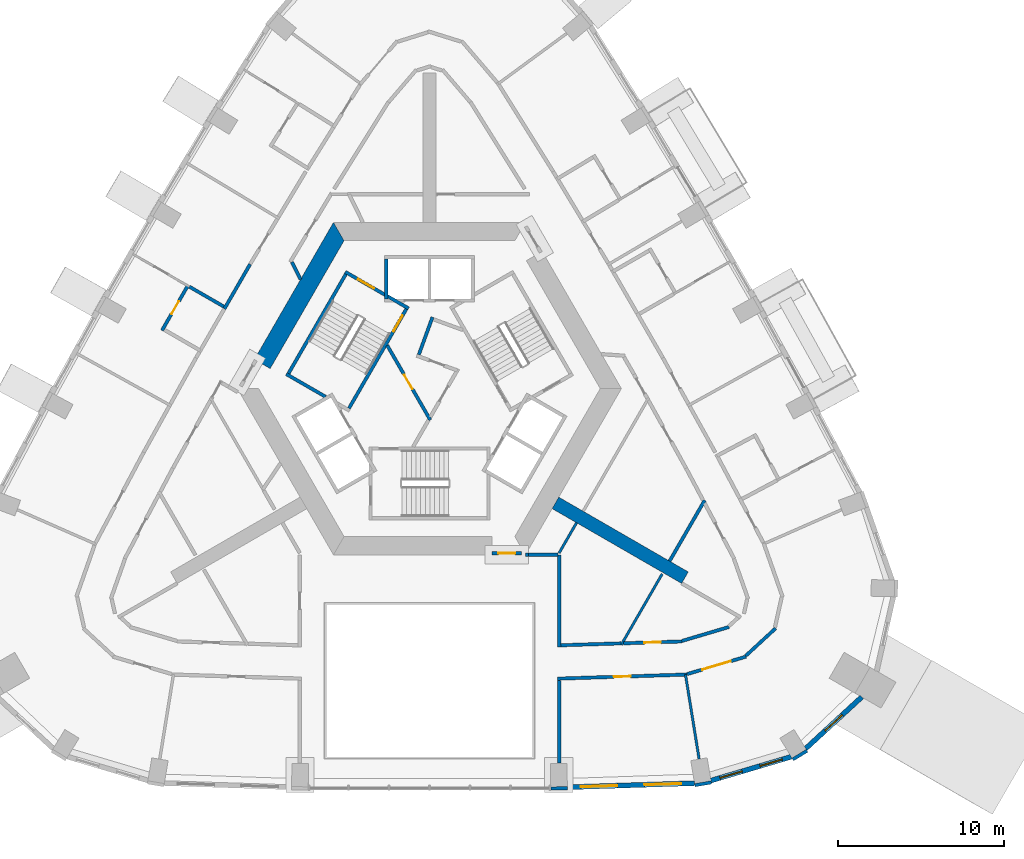
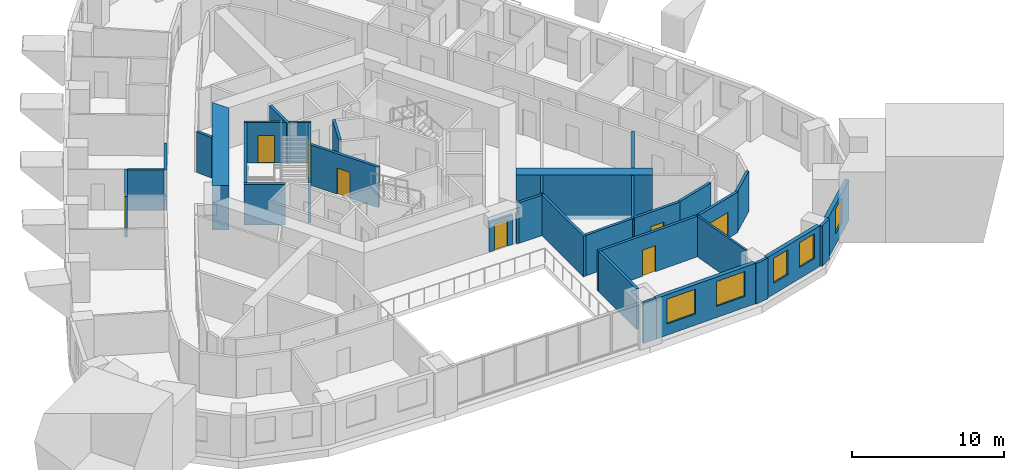
# One storey, part 5 of 12: 34 walls, 8 doors, 5 windows, 13 openings.
"""IFC4 building model written with IfcOpenShell, lengths in metres."""

import ifcopenshell
import ifcopenshell.guid

model = None  # the IFC model being written
_history = None  # IfcOwnerHistory: only IFC2X3 demands one
_inside = {}  # id of a spatial element -> (the spatial element, [elements in it])
_under = {}  # id of a project, library or spatial element -> (it, [spatial elements below it])
_declared = {}  # id of a project -> (the project, [libraries it declares])
_typed = {}  # id of a type object -> (the type object, [elements of that type])
_made_of = {}  # id of a material, layer set ... -> (it, [elements and type objects made of it])


def new_model(schema):
    """Start an empty IFC model of exactly this schema.

    Asked for "IFC4X3", IfcOpenShell would pick the latest addendum, in which some entities
    have other attributes; the version numbers below select the first issue.
    IFC2X3 requires an IfcOwnerHistory on every rooted entity: one is made here for all.
    """
    global model, _history
    if schema == "IFC4X3":
        model = ifcopenshell.file(schema_version=(4, 3, 0, 0))
    else:
        model = ifcopenshell.file(schema=schema)
    _inside.clear()
    _under.clear()
    _declared.clear()
    _typed.clear()
    _made_of.clear()
    _history = None
    if model.schema == "IFC2X3":
        org = make("IfcOrganization", Name="unknown")
        user = make(
            "IfcPersonAndOrganization",
            ThePerson=make("IfcPerson", FamilyName="unknown"),
            TheOrganization=org,
        )
        app = make(
            "IfcApplication",
            ApplicationDeveloper=org,
            Version="unknown",
            ApplicationFullName="unknown",
            ApplicationIdentifier="unknown",
        )
        _history = make(
            "IfcOwnerHistory",
            OwningUser=user,
            OwningApplication=app,
            ChangeAction="ADDED",
            CreationDate=0,
        )
    return model


def make(cls, **values):
    """One entity of the class cls with the attributes given. An attribute that is None is left unset."""
    return model.create_entity(
        cls, **{name: value for name, value in values.items() if value is not None}
    )


def rooted(cls, **values):
    """An entity with a GlobalId (a new one), such as an element, a storey or a relation."""
    return make(cls, GlobalId=ifcopenshell.guid.new(), OwnerHistory=_history, **values)


def si_unit(unit_type, name, prefix=None):
    """IfcSIUnit, for example si_unit("LENGTHUNIT", "METRE", prefix="MILLI")."""
    return make("IfcSIUnit", UnitType=unit_type, Prefix=prefix, Name=name)


def assignment(units):
    """IfcUnitAssignment: the units of a project."""
    return None if units is None else make("IfcUnitAssignment", Units=units)


def point(xyz):
    """IfcCartesianPoint."""
    return None if xyz is None else make("IfcCartesianPoint", Coordinates=xyz)


def direction(xyz):
    """IfcDirection."""
    return None if xyz is None else make("IfcDirection", DirectionRatios=xyz)


def frame(location, z_axis=None, x_axis=None):
    """IfcAxis2Placement3D, a coordinate frame: its origin and axes. An axis left out is left unset."""
    return make(
        "IfcAxis2Placement3D",
        Location=point(location),
        Axis=direction(z_axis),
        RefDirection=direction(x_axis),
    )


def frame_2d(location, x_axis=None):
    """IfcAxis2Placement2D, a coordinate frame in the plane: its origin and x axis."""
    return make(
        "IfcAxis2Placement2D", Location=point(location), RefDirection=direction(x_axis)
    )


def origin():
    """The frame at (0, 0, 0) with its axes left unset."""
    return frame((0.0, 0.0, 0.0))


def place(relative_to, where):
    """IfcLocalPlacement: puts the frame where relative to a parent placement (None: the world)."""
    return make(
        "IfcLocalPlacement", PlacementRelTo=relative_to, RelativePlacement=where
    )


def context(
    kind, dimensions, precision=None, world=None, true_north=None, identifier=None
):
    """IfcGeometricRepresentationContext, for example the 3D "Model" context."""
    return make(
        "IfcGeometricRepresentationContext",
        ContextIdentifier=identifier,
        ContextType=kind,
        CoordinateSpaceDimension=dimensions,
        Precision=precision,
        WorldCoordinateSystem=world,
        TrueNorth=true_north,
    )


def subcontext(parent, identifier, kind, view, scale=None):
    """IfcGeometricRepresentationSubContext, for example "Body" below "Model"."""
    return make(
        "IfcGeometricRepresentationSubContext",
        ContextIdentifier=identifier,
        ContextType=kind,
        ParentContext=parent,
        TargetScale=scale,
        TargetView=view,
    )


def project(units=None, contexts=None):
    """IfcProject with its units and contexts."""
    return rooted(
        "IfcProject",
        Name="project",
        RepresentationContexts=contexts,
        UnitsInContext=assignment(units),
    )


def spatial(cls, under=None, at=None, **own):
    """A site, building, storey or space (cls), placed at a placement, below another one or the project."""
    s = rooted(cls, ObjectPlacement=at, **own)
    if under is not None:
        _under.setdefault(under.id(), (under, []))[1].append(s)
    return s


def polyline(points):
    """IfcPolyline through the points."""
    return make("IfcPolyline", Points=[point(p) for p in points])


def profile(cls, at=None, kind="AREA", **sizes):
    """A parametric profile (cls). Its sizes go by their IFC names, for example OverallWidth=200.0."""
    return make(cls, ProfileType=kind, Position=at, **sizes)


def rectangle(**sizes):
    """IfcRectangleProfileDef."""
    return profile("IfcRectangleProfileDef", **sizes)


def outline(outer, holes=None, kind="AREA"):
    """IfcArbitraryClosedProfileDef: a profile drawn as a closed curve; with holes, ...WithVoids."""
    if holes is None:
        return make("IfcArbitraryClosedProfileDef", ProfileType=kind, OuterCurve=outer)
    return make(
        "IfcArbitraryProfileDefWithVoids",
        ProfileType=kind,
        OuterCurve=outer,
        InnerCurves=holes,
    )


def extrude(swept, where, along, depth):
    """IfcExtrudedAreaSolid: the profile swept, set in the frame where, extruded along a direction by depth."""
    return make(
        "IfcExtrudedAreaSolid",
        SweptArea=swept,
        Position=where,
        ExtrudedDirection=direction(along),
        Depth=depth,
    )


def shape(context_of_items, identifier, shape_type, items):
    """IfcShapeRepresentation: the items that make up one representation, for example the "Body"."""
    return make(
        "IfcShapeRepresentation",
        ContextOfItems=context_of_items,
        RepresentationIdentifier=identifier,
        RepresentationType=shape_type,
        Items=items,
    )


def material(Name=None, Category=None):
    """IfcMaterial."""
    return make("IfcMaterial", Name=Name, Category=Category)


def layer(
    of_material, thickness, ventilated=None, Name=None, Category=None, Priority=None
):
    """IfcMaterialLayer: one layer of a wall or slab, of a material (None: an air gap)."""
    return make(
        "IfcMaterialLayer",
        Material=of_material,
        LayerThickness=thickness,
        IsVentilated=ventilated,
        Name=Name,
        Category=Category,
        Priority=Priority,
    )


def layer_set(layers, Name=None):
    """IfcMaterialLayerSet."""
    return make("IfcMaterialLayerSet", MaterialLayers=layers, LayerSetName=Name)


def made_of(thing, what):
    """Note that an element or type object is made of a material, layer set ...; save() writes the relation."""
    if what is not None:
        _made_of.setdefault(what.id(), (what, []))[1].append(thing)
    return thing


def type_object(cls, material=None, **own):
    """A type object (cls), such as IfcWallType, which elements share."""
    return made_of(rooted(cls, **own), material)


def element(
    cls,
    number,
    at=None,
    inside=None,
    cuts=None,
    type_object=None,
    material=None,
    context=None,
    identifier="Body",
    shape_type=None,
    held_by="IfcProductDefinitionShape",
    body=None,
    shapes=None,
    **own,
):
    """One element of the class cls, such as IfcWall. Its Tag is "e" and its number.

    at: its placement. inside: the storey or other place that contains it. cuts: it is an
    opening in that element (IfcRelVoidsElement). A single representation is given by context,
    identifier, shape_type and body (its items); several are given by shapes. held_by: the class
    of the entity that holds the representations. save() writes the other relations.
    """
    e = rooted(cls, Tag="e%d" % number, ObjectPlacement=at, **own)
    if body is not None:
        shapes = [shape(context, identifier, shape_type, body)]
    if shapes is not None:
        e.Representation = make(held_by, Representations=shapes)
    if inside is not None:
        _inside.setdefault(inside.id(), (inside, []))[1].append(e)
    if cuts is not None:
        rooted(
            "IfcRelVoidsElement", RelatingBuildingElement=cuts, RelatedOpeningElement=e
        )
    if type_object is not None:
        _typed.setdefault(type_object.id(), (type_object, []))[1].append(e)
    return made_of(e, material)


def fill(opening, filler):
    """IfcRelFillsElement: the door or window that sits in an opening."""
    return rooted(
        "IfcRelFillsElement",
        RelatingOpeningElement=opening,
        RelatedBuildingElement=filler,
    )


def aggregate(whole, parts):
    """IfcRelAggregates: a whole, such as a stair, and the parts it consists of."""
    return rooted("IfcRelAggregates", RelatingObject=whole, RelatedObjects=parts)


def save(model, path):
    """Write the relations noted so far, then the file.

    IfcRelAggregates (storeys below a building ...), IfcRelContainedInSpatialStructure (elements
    in a storey), IfcRelDefinesByType, IfcRelAssociatesMaterial and IfcRelDeclares: one each for
    every whole, place, type object, material and project.
    """
    for whole, parts in _under.values():
        aggregate(whole, parts)
    for where, things in _inside.values():
        rooted(
            "IfcRelContainedInSpatialStructure",
            RelatedElements=things,
            RelatingStructure=where,
        )
    for kind, things in _typed.values():
        rooted("IfcRelDefinesByType", RelatedObjects=things, RelatingType=kind)
    for what, things in _made_of.values():
        rooted("IfcRelAssociatesMaterial", RelatedObjects=things, RelatingMaterial=what)
    for by, libraries in _declared.values():
        rooted("IfcRelDeclares", RelatingContext=by, RelatedDefinitions=libraries)
    model.write(path)


model = new_model("IFC4")

# Units and contexts
model_context = context("Model", 3, precision=1e-05, world=origin(), true_north=direction((0.0, 1.0)))
body_context = subcontext(model_context, "Body", "Model", "MODEL_VIEW")
ifc_project = project(units=[si_unit("LENGTHUNIT", "METRE"), si_unit("AREAUNIT", "SQUARE_METRE"), si_unit("VOLUMEUNIT", "CUBIC_METRE"), si_unit("PLANEANGLEUNIT", "RADIAN"), si_unit("MASSUNIT", "GRAM", prefix="KILO")], contexts=[model_context])

# Site, building, storey
site_placement = place(None, origin())
site = spatial("IfcSite", under=ifc_project, at=site_placement, CompositionType="ELEMENT")
building_placement = place(site_placement, origin())
building = spatial("IfcBuilding", under=site, at=building_placement, Name="Entoto Arch Interchange Tower", CompositionType="ELEMENT")
storey_placement = place(building_placement, frame((0.0, 0.0, 273.800048828125)))
storey = spatial("IfcBuildingStorey", under=building, at=storey_placement, Name="L63", CompositionType="ELEMENT", Elevation=273.800048828125)

# Wall
ifc_material_1 = material(Name="Concrete C40/50", Category="concrete")
ifc_layer_1 = layer(ifc_material_1, 0.800048828125)
ifc_layer_set_1 = layer_set([ifc_layer_1], Name="Concrete C40/50")
wall_type_1 = type_object("IfcWallType", Name="Buttress wall 800 C40/50", PredefinedType="SHEAR", material=ifc_layer_set_1)
wall_1_placement = place(storey_placement, frame((7.577880859375, -4.375, -0.340087890625), z_axis=(0.0, 0.0, 1.0), x_axis=(0.866024315419, -0.5000018851, 0.0)))
element("IfcWall", 1, at=wall_1_placement, inside=storey, type_object=wall_type_1, Name="Buttress wall SE L63", PredefinedType="SHEAR", context=body_context, shape_type="SweptSolid", body=[
    extrude(rectangle(XDim=9.0, YDim=0.800048828125, at=frame_2d((4.5, 0.0))), origin(), (0.0, 0.0, 1.0), 3.60009765625),
])

# Wall, opening, door
ifc_material_2 = material(Name="Reinforced concrete C40/50", Category="concrete")
ifc_layer_2 = layer(ifc_material_2, 0.199951171875)
ifc_layer_set_2 = layer_set([ifc_layer_2], Name="Reinforced concrete C40/50")
wall_type_2 = type_object("IfcWallType", Name="CORE GAP INFILL WALL", PredefinedType="PARTITIONING", material=ifc_layer_set_2)
wall_2_placement = place(storey_placement, frame((3.75, -7.39990234375, 0.0), z_axis=(0.0, 0.0, 1.0), x_axis=(1.0, 0.0, 0.0)))
wall_2 = element("IfcWall", 2, at=wall_2_placement, inside=storey, type_object=wall_type_2, Name="wall:L63:gap1", PredefinedType="PARTITIONING", context=body_context, shape_type="SweptSolid", body=[
    extrude(rectangle(XDim=1.7939453125, YDim=0.199951171875, at=frame_2d((0.89697265625, 0.0))), origin(), (0.0, 0.0, 1.0), 2.39990234375),
])
opening_1_placement = place(wall_2_placement, frame((0.39697265625, 0.0, 0.0)))
opening_1 = element("IfcOpeningElement", 3, at=opening_1_placement, cuts=wall_2, Name="Opening L63-D91", PredefinedType="OPENING", context=body_context, shape_type="SweptSolid", body=[
    extrude(rectangle(XDim=1.0, YDim=2.10009765625, at=frame_2d((0.5, 1.050048828125))), frame((0.0, 0.10986328125, 0.0), z_axis=(0.0, -1.0, 0.0), x_axis=(1.0, 0.0, 0.0)), (0.0, 0.0, 1.0), 0.219970703125),
])
ifc_material_3 = material(Name="Fire-rated Steel S235 door and frame", Category="steel")
door_type_1 = type_object("IfcDoorType", Name="DOOR FD-10 1000x2100", OperationType="SINGLE_SWING_LEFT", PredefinedType="DOOR", material=ifc_material_3)
door_1_placement = place(opening_1_placement, origin())
door_1 = element("IfcDoor", 4, at=door_1_placement, inside=storey, type_object=door_type_1, Name="door:L63:gap1", OperationType="SINGLE_SWING_LEFT", OverallHeight=2.10009765625, OverallWidth=1.0, PredefinedType="DOOR", context=body_context, shape_type="SweptSolid", body=[
    extrude(rectangle(XDim=1.0, YDim=2.10009765625, at=frame_2d((0.5, 1.050048828125))), frame((0.0, 0.02490234375, 0.0), z_axis=(0.0, -1.0, 0.0), x_axis=(1.0, 0.0, 0.0)), (0.0, 0.0, 1.0), 0.050048828125),
])
fill(opening_1, door_1)

# Walls
ifc_layer_3 = layer(ifc_material_1, 1.10009765625)
ifc_layer_set_3 = layer_set([ifc_layer_3], Name="Concrete C40/50")
wall_type_3 = type_object("IfcWallType", Name="Core wall 1100 C40/50", PredefinedType="SHEAR", material=ifc_layer_set_3)
wall_3_placement = place(storey_placement, frame((0.0, 0.0, -0.340087890625)))
element("IfcWall", 5, at=wall_3_placement, inside=storey, type_object=wall_type_3, Name="Core wall NW L63", PredefinedType="SHEAR", context=body_context, shape_type="SweptSolid", body=[
    extrude(outline(polyline([(-10.534912109375, 4.2529296875), (-9.5830078125, 3.702880859375), (-5.137939453125, 11.39990234375), (-5.77392578125, 12.5), (-10.534912109375, 4.2529296875)])), origin(), (0.0, 0.0, 1.0), 3.60009765625),
])
ifc_layer_4 = layer(ifc_material_1, 0.199951171875)
ifc_layer_set_4 = layer_set([ifc_layer_4], Name="Concrete C40/50")
wall_type_4 = type_object("IfcWallType", Name="LIFT SHAFT WALL 200", PredefinedType="STANDARD", material=ifc_layer_set_4)
wall_4_placement = place(storey_placement, frame((-2.60009765625, 7.89990234375, 0.0), z_axis=(0.0, 0.0, 1.0), x_axis=(0.0, 1.0, 0.0)))
element("IfcWall", 6, at=wall_4_placement, inside=storey, type_object=wall_type_4, Name="Shaft wall N1 cross 3", PredefinedType="STANDARD", context=body_context, shape_type="SweptSolid", body=[
    extrude(rectangle(XDim=2.400146484375, YDim=0.199951171875, at=frame_2d((1.2001953125, 0.0))), origin(), (0.0, 0.0, 1.0), 3.260009765625),
])
ifc_material_4 = material(Name="Gypsum board partition on steel studs", Category="steel")
ifc_layer_5 = layer(ifc_material_4, 0.14990234375)
ifc_layer_set_5 = layer_set([ifc_layer_5], Name="Gypsum board partition on steel studs")
wall_type_5 = type_object("IfcWallType", Name="PARTITION 150", PredefinedType="PARTITIONING", material=ifc_layer_set_5)
wall_5_placement = place(storey_placement, frame((7.800048828125, -7.389892578125, 0.0), z_axis=(0.0, 0.0, 1.0), x_axis=(0.499977374825, 0.866038466041, 0.0)))
element("IfcWall", 7, at=wall_5_placement, inside=storey, type_object=wall_type_5, Name="wall:L63:p076", PredefinedType="PARTITIONING", context=body_context, shape_type="SweptSolid", body=[
    extrude(rectangle(XDim=2.10009765625, YDim=0.14990234375, at=frame_2d((1.050048828125, 0.0))), origin(), (0.0, 0.0, 1.0), 3.260009765625),
])
wall_6_placement = place(storey_placement, frame((14.0, -8.652099609375, 0.0), z_axis=(0.0, 0.0, 1.0), x_axis=(-0.500067562424, -0.865986393087, 0.0)))
element("IfcWall", 8, at=wall_6_placement, inside=storey, type_object=wall_type_5, Name="wall:L63:p086", PredefinedType="PARTITIONING", context=body_context, shape_type="SweptSolid", body=[
    extrude(rectangle(XDim=4.919189453125, YDim=0.14990234375, at=frame_2d((2.45947265625, 0.0))), origin(), (0.0, 0.0, 1.0), 3.260009765625),
])
wall_7_placement = place(storey_placement, frame((15.403076171875, -14.705078125, 0.0), z_axis=(0.0, 0.0, 1.0), x_axis=(0.159447664828, -0.98720638277, 0.0)))
element("IfcWall", 9, at=wall_7_placement, inside=storey, type_object=wall_type_5, Name="wall:L63:p094", PredefinedType="PARTITIONING", context=body_context, shape_type="SweptSolid", body=[
    extrude(rectangle(XDim=5.135498046875, YDim=0.14990234375, at=frame_2d((2.56787109375, 0.0))), origin(), (0.0, 0.0, 1.0), 3.260009765625),
])
ifc_layer_6 = layer(ifc_material_4, 0.199951171875)
ifc_layer_set_6 = layer_set([ifc_layer_6], Name="Gypsum board partition on steel studs")
wall_type_6 = type_object("IfcWallType", Name="PARTITION 200", PredefinedType="PARTITIONING", material=ifc_layer_set_6)
wall_8_placement = place(storey_placement, frame((0.180908203125, 6.797119140625, 0.0), z_axis=(0.0, 0.0, 1.0), x_axis=(-0.342020767299, -0.939692393678, 0.0)))
element("IfcWall", 10, at=wall_8_placement, inside=storey, type_object=wall_type_6, Name="wall:L63:p002", PredefinedType="PARTITIONING", context=body_context, shape_type="SweptSolid", body=[
    extrude(rectangle(XDim=2.39990234375, YDim=0.199951171875, at=frame_2d((1.199951171875, 0.0))), origin(), (0.0, 0.0, 1.0), 3.260009765625),
])
wall_9_placement = place(storey_placement, frame((-8.27587890625, 10.1201171875, 0.0), z_axis=(0.0, 0.0, 1.0), x_axis=(0.440226122236, -0.897886942382, 0.0)))
element("IfcWall", 11, at=wall_9_placement, inside=storey, type_object=wall_type_6, Name="wall:L63:p008", PredefinedType="PARTITIONING", context=body_context, shape_type="SweptSolid", body=[
    extrude(rectangle(XDim=1.17626953125, YDim=0.199951171875, at=frame_2d((0.588134765625, 0.0))), origin(), (0.0, 0.0, 1.0), 3.260009765625),
])
wall_10_placement = place(storey_placement, frame((7.89990234375, -12.94189453125, 0.0), z_axis=(0.0, 0.0, 1.0), x_axis=(0.999494468474, 0.031793198801, 0.0)))
element("IfcWall", 12, at=wall_10_placement, inside=storey, type_object=wall_type_6, Name="wall:L63:p019", PredefinedType="PARTITIONING", context=body_context, shape_type="SweptSolid", body=[
    extrude(rectangle(XDim=3.61669921875, YDim=0.199951171875, at=frame_2d((1.808349609375, 0.0))), origin(), (0.0, 0.0, 1.0), 3.260009765625),
])

# Wall, opening, door
wall_11_placement = place(storey_placement, frame((11.6650390625, -12.822998046875, 0.0), z_axis=(0.0, 0.0, 1.0), x_axis=(0.99949244941, 0.03185660956, 0.0)))
wall_11 = element("IfcWall", 13, at=wall_11_placement, inside=storey, type_object=wall_type_6, Name="wall:L63:p022", PredefinedType="PARTITIONING", context=body_context, shape_type="SweptSolid", body=[
    extrude(rectangle(XDim=3.517578125, YDim=0.199951171875, at=frame_2d((1.7587890625, 0.0))), origin(), (0.0, 0.0, 1.0), 3.260009765625),
])
opening_2_placement = place(wall_11_placement, frame((1.259033203125, 0.0, 0.0)))
opening_2 = element("IfcOpeningElement", 14, at=opening_2_placement, cuts=wall_11, Name="Opening L63-D23", PredefinedType="OPENING", context=body_context, shape_type="SweptSolid", body=[
    extrude(rectangle(XDim=1.0, YDim=2.10009765625, at=frame_2d((0.5, 1.050048828125))), frame((0.0, 0.10986328125, 0.0), z_axis=(0.0, -1.0, 0.0), x_axis=(1.0, 0.0, 0.0)), (0.0, 0.0, 1.0), 0.219970703125),
])
ifc_material_5 = material(Name="Timber door leaf in Steel S235 frame", Category="steel")
door_type_2 = type_object("IfcDoorType", Name="DOOR DS-10 1000x2100", OperationType="SINGLE_SWING_LEFT", PredefinedType="DOOR", material=ifc_material_5)
door_2_placement = place(opening_2_placement, origin())
door_2 = element("IfcDoor", 15, at=door_2_placement, inside=storey, type_object=door_type_2, Name="door:L63:23", OperationType="SINGLE_SWING_RIGHT", OverallHeight=2.10009765625, OverallWidth=1.0, PredefinedType="DOOR", context=body_context, shape_type="SweptSolid", body=[
    extrude(rectangle(XDim=1.0, YDim=2.10009765625, at=frame_2d((0.5, 1.050048828125))), frame((0.0, 0.02490234375, 0.0), z_axis=(0.0, -1.0, 0.0), x_axis=(1.0, 0.0, 0.0)), (0.0, 0.0, 1.0), 0.050048828125),
])
fill(opening_2, door_2)

# Wall
wall_12_placement = place(storey_placement, frame((15.177001953125, -12.68603515625, 0.0), z_axis=(0.0, 0.0, 1.0), x_axis=(0.958629704259, 0.284656090947, 0.0)))
element("IfcWall", 16, at=wall_12_placement, inside=storey, type_object=wall_type_6, Name="wall:L63:p023", PredefinedType="PARTITIONING", context=body_context, shape_type="SweptSolid", body=[
    extrude(rectangle(XDim=2.971923828125, YDim=0.199951171875, at=frame_2d((1.48583984375, 0.0))), origin(), (0.0, 0.0, 1.0), 3.260009765625),
])

# Wall, opening, door
wall_13_placement = place(storey_placement, frame((15.5029296875, -14.701904296875, 0.0), z_axis=(0.0, 0.0, 1.0), x_axis=(-0.999495120537, -0.031772693047, 0.0)))
wall_13 = element("IfcWall", 17, at=wall_13_placement, inside=storey, type_object=wall_type_6, Name="wall:L63:p037", PredefinedType="PARTITIONING", context=body_context, shape_type="SweptSolid", body=[
    extrude(rectangle(XDim=7.806884765625, YDim=0.199951171875, at=frame_2d((3.9033203125, 0.0))), origin(), (0.0, 0.0, 1.0), 3.260009765625),
])
opening_3_placement = place(wall_13_placement, frame((3.403076171875, 0.0, 0.0)))
opening_3 = element("IfcOpeningElement", 18, at=opening_3_placement, cuts=wall_13, Name="Opening L63-D16", PredefinedType="OPENING", context=body_context, shape_type="SweptSolid", body=[
    extrude(rectangle(XDim=1.0, YDim=2.10009765625, at=frame_2d((0.5, 1.050048828125))), frame((0.0, 0.10986328125, 0.0), z_axis=(0.0, -1.0, 0.0), x_axis=(1.0, 0.0, 0.0)), (0.0, 0.0, 1.0), 0.219970703125),
])
door_3_placement = place(opening_3_placement, origin())
door_3 = element("IfcDoor", 19, at=door_3_placement, inside=storey, type_object=door_type_2, Name="door:L63:16", OperationType="SINGLE_SWING_LEFT", OverallHeight=2.10009765625, OverallWidth=1.0, PredefinedType="DOOR", context=body_context, shape_type="SweptSolid", body=[
    extrude(rectangle(XDim=1.0, YDim=2.10009765625, at=frame_2d((0.5, 1.050048828125))), frame((0.0, 0.02490234375, 0.0), z_axis=(0.0, -1.0, 0.0), x_axis=(1.0, 0.0, 0.0)), (0.0, 0.0, 1.0), 0.050048828125),
])
fill(opening_3, door_3)

# Wall
wall_14_placement = place(storey_placement, frame((20.830078125, -11.9169921875, 0.0), z_axis=(0.0, 0.0, 1.0), x_axis=(-0.735547704352, -0.67747293276, 0.0)))
element("IfcWall", 20, at=wall_14_placement, inside=storey, type_object=wall_type_6, Name="wall:L63:p040", PredefinedType="PARTITIONING", context=body_context, shape_type="SweptSolid", body=[
    extrude(rectangle(XDim=2.46337890625, YDim=0.199951171875, at=frame_2d((1.231689453125, 0.0))), origin(), (0.0, 0.0, 1.0), 3.260009765625),
])

# Wall, opening, door
wall_15_placement = place(storey_placement, frame((19.0400390625, -13.6259765625, 0.0), z_axis=(0.0, 0.0, 1.0), x_axis=(-0.958734738219, -0.284302131073, 0.0)))
wall_15 = element("IfcWall", 21, at=wall_15_placement, inside=storey, type_object=wall_type_6, Name="wall:L63:p041", PredefinedType="PARTITIONING", context=body_context, shape_type="SweptSolid", body=[
    extrude(rectangle(XDim=3.693359375, YDim=0.199951171875, at=frame_2d((1.8466796875, 0.0))), origin(), (0.0, 0.0, 1.0), 3.260009765625),
])
opening_4_placement = place(wall_15_placement, frame((0.947021484375, 0.0, 0.0)))
opening_4 = element("IfcOpeningElement", 22, at=opening_4_placement, cuts=wall_15, Name="Opening L63-D17", PredefinedType="OPENING", context=body_context, shape_type="SweptSolid", body=[
    extrude(rectangle(XDim=1.800048828125, YDim=2.10009765625, at=frame_2d((0.89990234375, 1.050048828125))), frame((0.0, 0.10986328125, 0.0), z_axis=(0.0, -1.0, 0.0), x_axis=(1.0, 0.0, 0.0)), (0.0, 0.0, 1.0), 0.219970703125),
])
door_type_3 = type_object("IfcDoorType", Name="DOOR DD-18 1800x2100", OperationType="DOUBLE_DOOR_SINGLE_SWING", PredefinedType="DOOR", material=ifc_material_5)
door_4_placement = place(opening_4_placement, origin())
door_4 = element("IfcDoor", 23, at=door_4_placement, inside=storey, type_object=door_type_3, Name="door:L63:17", OperationType="DOUBLE_DOOR_SINGLE_SWING", OverallHeight=2.10009765625, OverallWidth=1.800048828125, PredefinedType="DOOR", context=body_context, shape_type="SweptSolid", body=[
    extrude(rectangle(XDim=1.800048828125, YDim=2.10009765625, at=frame_2d((0.89990234375, 1.050048828125))), frame((0.0, 0.02490234375, 0.0), z_axis=(0.0, -1.0, 0.0), x_axis=(1.0, 0.0, 0.0)), (0.0, 0.0, 1.0), 0.050048828125),
])
fill(opening_4, door_4)

# Walls
wall_16_placement = place(storey_placement, frame((-12.337890625, 7.300048828125, 0.0), z_axis=(0.0, 0.0, 1.0), x_axis=(0.4996633593, 0.866219676164, 0.0)))
element("IfcWall", 24, at=wall_16_placement, inside=storey, type_object=wall_type_6, Name="wall:L63:p060", PredefinedType="PARTITIONING", context=body_context, shape_type="SweptSolid", body=[
    extrude(rectangle(XDim=3.099853515625, YDim=0.199951171875, at=frame_2d((1.5498046875, 0.0))), origin(), (0.0, 0.0, 1.0), 3.260009765625),
])
wall_17_placement = place(storey_placement, frame((5.77490234375, -7.4990234375, 0.0), z_axis=(0.0, 0.0, 1.0), x_axis=(1.0, 0.0, 0.0)))
element("IfcWall", 25, at=wall_17_placement, inside=storey, type_object=wall_type_6, Name="wall:L63:p075", PredefinedType="PARTITIONING", context=body_context, shape_type="SweptSolid", body=[
    extrude(rectangle(XDim=0.169189453125, YDim=0.199951171875, at=frame_2d((0.08447265625, 0.0))), origin(), (0.0, 0.0, 1.0), 2.39990234375),
])

# Wall, opening, door
wall_18_placement = place(storey_placement, frame((-2.5400390625, 5.10009765625, 0.0), z_axis=(0.0, 0.0, 1.0), x_axis=(0.499925051871, -0.866068670783, 0.0)))
wall_18 = element("IfcWall", 26, at=wall_18_placement, inside=storey, type_object=wall_type_6, Name="wall:L63:p079", PredefinedType="PARTITIONING", context=body_context, shape_type="SweptSolid", body=[
    extrude(rectangle(XDim=5.180908203125, YDim=0.199951171875, at=frame_2d((2.59033203125, 0.0))), origin(), (0.0, 0.0, 1.0), 3.260009765625),
])
opening_5_placement = place(wall_18_placement, frame((2.0400390625, 0.0, 0.0)))
opening_5 = element("IfcOpeningElement", 27, at=opening_5_placement, cuts=wall_18, Name="Opening L63-D34", PredefinedType="OPENING", context=body_context, shape_type="SweptSolid", body=[
    extrude(rectangle(XDim=1.0, YDim=2.10009765625, at=frame_2d((0.5, 1.050048828125))), frame((0.0, 0.10986328125, 0.0), z_axis=(0.0, -1.0, 0.0), x_axis=(1.0, 0.0, 0.0)), (0.0, 0.0, 1.0), 0.219970703125),
])
door_5_placement = place(opening_5_placement, origin())
door_5 = element("IfcDoor", 28, at=door_5_placement, inside=storey, type_object=door_type_1, Name="door:L63:34", OperationType="SINGLE_SWING_LEFT", OverallHeight=2.10009765625, OverallWidth=1.0, PredefinedType="DOOR", context=body_context, shape_type="SweptSolid", body=[
    extrude(rectangle(XDim=1.0, YDim=2.10009765625, at=frame_2d((0.5, 1.050048828125))), frame((0.0, 0.02490234375, 0.0), z_axis=(0.0, -1.0, 0.0), x_axis=(1.0, 0.0, 0.0)), (0.0, 0.0, 1.0), 0.050048828125),
])
fill(opening_5, door_5)

# Walls
wall_19_placement = place(storey_placement, frame((7.800048828125, -7.4990234375, 0.0), z_axis=(0.0, 0.0, 1.0), x_axis=(0.0, -1.0, 0.0)))
element("IfcWall", 29, at=wall_19_placement, inside=storey, type_object=wall_type_6, Name="wall:L63:p080", PredefinedType="PARTITIONING", context=body_context, shape_type="SweptSolid", body=[
    extrude(rectangle(XDim=5.546875, YDim=0.199951171875, at=frame_2d((2.7734375, 0.0))), origin(), (0.0, 0.0, 1.0), 3.260009765625),
])
wall_20_placement = place(storey_placement, frame((7.800048828125, -15.047119140625, 0.0), z_axis=(0.0, 0.0, 1.0), x_axis=(0.0, -1.0, 0.0)))
element("IfcWall", 30, at=wall_20_placement, inside=storey, type_object=wall_type_6, Name="wall:L63:p084", PredefinedType="PARTITIONING", context=body_context, shape_type="SweptSolid", body=[
    extrude(rectangle(XDim=4.98291015625, YDim=0.199951171875, at=frame_2d((2.491455078125, 0.0))), origin(), (0.0, 0.0, 1.0), 3.260009765625),
])
wall_21_placement = place(storey_placement, frame((16.55908203125, -4.218994140625, 0.0), z_axis=(0.0, 0.0, 1.0), x_axis=(-0.499997491977, -0.866026851788, 0.0)))
element("IfcWall", 31, at=wall_21_placement, inside=storey, type_object=wall_type_6, Name="wall:L63:p087", PredefinedType="PARTITIONING", context=body_context, shape_type="SweptSolid", body=[
    extrude(rectangle(XDim=4.22607421875, YDim=0.199951171875, at=frame_2d((2.113037109375, 0.0))), origin(), (0.0, 0.0, 1.0), 3.260009765625),
])
wall_22_placement = place(storey_placement, frame((-12.375, 7.43701171875, 0.0), z_axis=(0.0, 0.0, 1.0), x_axis=(-0.866100915363, 0.499869187296, 0.0)))
element("IfcWall", 32, at=wall_22_placement, inside=storey, type_object=wall_type_6, Name="wall:L63:p118", PredefinedType="PARTITIONING", context=body_context, shape_type="SweptSolid", body=[
    extrude(rectangle(XDim=2.400634765625, YDim=0.199951171875, at=frame_2d((1.2001953125, 0.0))), origin(), (0.0, 0.0, 1.0), 3.260009765625),
])

# Wall, opening, door
wall_23_placement = place(storey_placement, frame((-14.514892578125, 8.72998046875, 0.0), z_axis=(0.0, 0.0, 1.0), x_axis=(-0.500039995618, -0.866002311072, 0.0)))
wall_23 = element("IfcWall", 33, at=wall_23_placement, inside=storey, type_object=wall_type_6, Name="wall:L63:p119", PredefinedType="PARTITIONING", context=body_context, shape_type="SweptSolid", body=[
    extrude(rectangle(XDim=3.150146484375, YDim=0.199951171875, at=frame_2d((1.5751953125, 0.0))), origin(), (0.0, 0.0, 1.0), 3.260009765625),
])
opening_6_placement = place(wall_23_placement, frame((1.125, 0.0, 0.0)))
opening_6 = element("IfcOpeningElement", 34, at=opening_6_placement, cuts=wall_23, Name="Opening L63-D15", PredefinedType="OPENING", context=body_context, shape_type="SweptSolid", body=[
    extrude(rectangle(XDim=0.89990234375, YDim=2.10009765625, at=frame_2d((0.449951171875, 1.050048828125))), frame((0.0, 0.10986328125, 0.0), z_axis=(0.0, -1.0, 0.0), x_axis=(1.0, 0.0, 0.0)), (0.0, 0.0, 1.0), 0.219970703125),
])
door_type_4 = type_object("IfcDoorType", Name="DOOR DS-09 900x2100", OperationType="SINGLE_SWING_LEFT", PredefinedType="DOOR", material=ifc_material_5)
door_6_placement = place(opening_6_placement, origin())
door_6 = element("IfcDoor", 35, at=door_6_placement, inside=storey, type_object=door_type_4, Name="door:L63:15", OperationType="SINGLE_SWING_LEFT", OverallHeight=2.10009765625, OverallWidth=0.89990234375, PredefinedType="DOOR", context=body_context, shape_type="SweptSolid", body=[
    extrude(rectangle(XDim=0.89990234375, YDim=2.10009765625, at=frame_2d((0.449951171875, 1.050048828125))), frame((0.0, 0.02490234375, 0.0), z_axis=(0.0, -1.0, 0.0), x_axis=(1.0, 0.0, 0.0)), (0.0, 0.0, 1.0), 0.050048828125),
])
fill(opening_6, door_6)

# Wall
wall_24_placement = place(storey_placement, frame((5.944091796875, -7.4990234375, 0.0), z_axis=(0.0, 0.0, 1.0), x_axis=(1.0, 0.0, 0.0)))
element("IfcWall", 36, at=wall_24_placement, inside=storey, type_object=wall_type_6, Name="wall:L63:p075", PredefinedType="PARTITIONING", context=body_context, shape_type="SweptSolid", body=[
    extrude(rectangle(XDim=1.79296875, YDim=0.199951171875, at=frame_2d((0.896484375, 0.0))), origin(), (0.0, 0.0, 1.0), 3.260009765625),
])

# Wall, opening, door
ifc_layer_7 = layer(ifc_material_1, 0.199951171875)
ifc_layer_set_7 = layer_set([ifc_layer_7], Name="Concrete C40/50")
wall_type_7 = type_object("IfcWallType", Name="STAIR ENCLOSURE WALL 200", PredefinedType="STANDARD", material=ifc_layer_set_7)
wall_25_placement = place(storey_placement, frame((-1.256103515625, 7.323974609375, 0.0), z_axis=(0.0, 0.0, 1.0), x_axis=(-0.866046073146, 0.499964197906, 0.0)))
wall_25 = element("IfcWall", 37, at=wall_25_placement, inside=storey, type_object=wall_type_7, Name="Stair wall ST-NW near", PredefinedType="STANDARD", context=body_context, shape_type="SweptSolid", body=[
    extrude(rectangle(XDim=4.400146484375, YDim=0.199951171875, at=frame_2d((2.2001953125, 0.0))), origin(), (0.0, 0.0, 1.0), 3.260009765625),
])
opening_7_placement = place(wall_25_placement, frame((2.39990234375, 0.0, 0.0)))
opening_7 = element("IfcOpeningElement", 38, at=opening_7_placement, cuts=wall_25, Name="Opening SD-ST-NW-L63-E", PredefinedType="OPENING", context=body_context, shape_type="SweptSolid", body=[
    extrude(rectangle(XDim=1.10009765625, YDim=2.199951171875, at=frame_2d((0.550048828125, 1.10009765625))), frame((0.0, 0.10986328125, 0.0), z_axis=(0.0, -1.0, 0.0), x_axis=(1.0, 0.0, 0.0)), (0.0, 0.0, 1.0), 0.219970703125),
])
ifc_material_6 = material(Name="Steel S235", Category="steel")
door_type_5 = type_object("IfcDoorType", Name="STAIR DOOR SD1 1100x2200", OperationType="SINGLE_SWING_LEFT", PredefinedType="DOOR", material=ifc_material_6)
door_7_placement = place(opening_7_placement, origin())
door_7 = element("IfcDoor", 39, at=door_7_placement, inside=storey, type_object=door_type_5, Name="Stair door ST-NW L63 end", OperationType="SINGLE_SWING_LEFT", OverallHeight=2.199951171875, OverallWidth=1.10009765625, PredefinedType="DOOR", context=body_context, shape_type="SweptSolid", body=[
    extrude(rectangle(XDim=1.10009765625, YDim=2.199951171875, at=frame_2d((0.550048828125, 1.10009765625))), frame((0.0, 0.02490234375, 0.0), z_axis=(0.0, -1.0, 0.0), x_axis=(1.0, 0.0, 0.0)), (0.0, 0.0, 1.0), 0.050048828125),
])
fill(opening_7, door_7)

# Wall
wall_26_placement = place(storey_placement, frame((-6.25, 2.010009765625, 0.0), z_axis=(0.0, 0.0, 1.0), x_axis=(-0.86611865017, 0.499838457731, 0.0)))
element("IfcWall", 40, at=wall_26_placement, inside=storey, type_object=wall_type_7, Name="Stair wall ST-NW far", PredefinedType="STANDARD", context=body_context, shape_type="SweptSolid", body=[
    extrude(rectangle(XDim=2.73291015625, YDim=0.199951171875, at=frame_2d((1.366455078125, 0.0))), origin(), (0.0, 0.0, 1.0), 3.260009765625),
])

# Wall, opening, door
wall_27_placement = place(storey_placement, frame((-1.39306640625, 7.2880859375, 0.0), z_axis=(0.0, 0.0, 1.0), x_axis=(-0.499963383562, -0.866046543262, 0.0)))
wall_27 = element("IfcWall", 41, at=wall_27_placement, inside=storey, type_object=wall_type_7, Name="Stair wall ST-NW hall", PredefinedType="STANDARD", context=body_context, shape_type="SweptSolid", body=[
    extrude(rectangle(XDim=6.900390625, YDim=0.199951171875, at=frame_2d((3.4501953125, 0.0))), origin(), (0.0, 0.0, 1.0), 3.260009765625),
])
opening_8_placement = place(wall_27_placement, frame((0.449951171875, 0.0, 0.0)))
opening_8 = element("IfcOpeningElement", 42, at=opening_8_placement, cuts=wall_27, Name="Opening SD-ST-NW-L63", PredefinedType="OPENING", context=body_context, shape_type="SweptSolid", body=[
    extrude(rectangle(XDim=1.10009765625, YDim=2.199951171875, at=frame_2d((0.550048828125, 1.10009765625))), frame((0.0, 0.10986328125, 0.0), z_axis=(0.0, -1.0, 0.0), x_axis=(1.0, 0.0, 0.0)), (0.0, 0.0, 1.0), 0.219970703125),
])
door_8_placement = place(opening_8_placement, origin())
door_8 = element("IfcDoor", 43, at=door_8_placement, inside=storey, type_object=door_type_5, Name="Stair door ST-NW L63", OperationType="SINGLE_SWING_LEFT", OverallHeight=2.199951171875, OverallWidth=1.10009765625, PredefinedType="DOOR", context=body_context, shape_type="SweptSolid", body=[
    extrude(rectangle(XDim=1.10009765625, YDim=2.199951171875, at=frame_2d((0.550048828125, 1.10009765625))), frame((0.0, 0.02490234375, 0.0), z_axis=(0.0, -1.0, 0.0), x_axis=(1.0, 0.0, 0.0)), (0.0, 0.0, 1.0), 0.050048828125),
])
fill(opening_8, door_8)

# Wall
wall_28_placement = place(storey_placement, frame((-5.030029296875, 9.387939453125, 0.0), z_axis=(0.0, 0.0, 1.0), x_axis=(-0.499978703459, -0.866037698999, 0.0)))
element("IfcWall", 44, at=wall_28_placement, inside=storey, type_object=wall_type_7, Name="Stair wall ST-NW back", PredefinedType="STANDARD", context=body_context, shape_type="SweptSolid", body=[
    extrude(rectangle(XDim=6.900146484375, YDim=0.199951171875, at=frame_2d((3.4501953125, 0.0))), origin(), (0.0, 0.0, 1.0), 3.260009765625),
])

# Wall, openings, windows
ifc_material_7 = material(Name="Welded tuff (ignimbrite) cladding, warm buff", Category="masonry")
ifc_layer_8 = layer(ifc_material_7, 0.300048828125)
ifc_layer_set_8 = layer_set([ifc_layer_8], Name="Welded tuff (ignimbrite) cladding, warm buff")
wall_type_8 = type_object("IfcWallType", Name="STONE INFILL WALL 300", PredefinedType="STANDARD", material=ifc_layer_set_8)
wall_29_placement = place(storey_placement, frame((8.2958984375, -21.48388671875, 0.0), z_axis=(0.0, 0.0, 1.0), x_axis=(0.999496876383, 0.031717410046, 0.0)))
wall_29 = element("IfcWall", 45, at=wall_29_placement, inside=storey, type_object=wall_type_8, Name="Facade wall S-03 L63", PredefinedType="STANDARD", context=body_context, shape_type="SweptSolid", body=[
    extrude(rectangle(XDim=7.658935546875, YDim=0.300048828125, at=frame_2d((3.82958984375, 0.0))), origin(), (0.0, 0.0, 1.0), 3.260009765625),
])
opening_9_placement = place(wall_29_placement, frame((0.81494140625, 0.0, 0.89990234375)))
opening_9 = element("IfcOpeningElement", 46, at=opening_9_placement, cuts=wall_29, Name="Opening WH-A", PredefinedType="OPENING", context=body_context, shape_type="SweptSolid", body=[
    extrude(rectangle(XDim=2.199951171875, YDim=2.0, at=frame_2d((1.10009765625, 1.0))), frame((0.0, 0.16015625, 0.0), z_axis=(0.0, -1.0, 0.0), x_axis=(1.0, 0.0, 0.0)), (0.0, 0.0, 1.0), 0.320068359375),
])
opening_10_placement = place(wall_29_placement, frame((4.64404296875, 0.0, 0.89990234375)))
opening_10 = element("IfcOpeningElement", 47, at=opening_10_placement, cuts=wall_29, Name="Opening WH-A", PredefinedType="OPENING", context=body_context, shape_type="SweptSolid", body=[
    extrude(rectangle(XDim=2.199951171875, YDim=2.0, at=frame_2d((1.10009765625, 1.0))), frame((0.0, 0.16015625, 0.0), z_axis=(0.0, -1.0, 0.0), x_axis=(1.0, 0.0, 0.0)), (0.0, 0.0, 1.0), 0.320068359375),
])
ifc_material_8 = material(Name="Clear glass, low-e double glazed", Category="glass")
window_type_1 = type_object("IfcWindowType", Name="WINDOW WH-A 2200x2000", PartitioningType="DOUBLE_PANEL_VERTICAL", PredefinedType="WINDOW", material=ifc_material_8)
window_1_placement = place(opening_9_placement, origin())
window_1 = element("IfcWindow", 48, at=window_1_placement, inside=storey, type_object=window_type_1, Name="Window WH-A S-03 L63", OverallHeight=2.0, OverallWidth=2.199951171875, PartitioningType="SINGLE_PANEL", PredefinedType="WINDOW", context=body_context, shape_type="SweptSolid", body=[
    extrude(rectangle(XDim=2.199951171875, YDim=2.0, at=frame_2d((1.10009765625, 1.0))), frame((0.0, 0.030029296875, 0.0), z_axis=(0.0, -1.0, 0.0), x_axis=(1.0, 0.0, 0.0)), (0.0, 0.0, 1.0), 0.06005859375),
])
fill(opening_9, window_1)
window_2_placement = place(opening_10_placement, origin())
window_2 = element("IfcWindow", 49, at=window_2_placement, inside=storey, type_object=window_type_1, Name="Window WH-A S-03 L63", OverallHeight=2.0, OverallWidth=2.199951171875, PartitioningType="SINGLE_PANEL", PredefinedType="WINDOW", context=body_context, shape_type="SweptSolid", body=[
    extrude(rectangle(XDim=2.199951171875, YDim=2.0, at=frame_2d((1.10009765625, 1.0))), frame((0.0, 0.030029296875, 0.0), z_axis=(0.0, -1.0, 0.0), x_axis=(1.0, 0.0, 0.0)), (0.0, 0.0, 1.0), 0.06005859375),
])
fill(opening_10, window_2)

wall_30_placement = place(storey_placement, frame((16.93701171875, -21.08203125, 0.0), z_axis=(0.0, 0.0, 1.0), x_axis=(0.95864045837, 0.284619872067, 0.0)))
wall_30 = element("IfcWall", 50, at=wall_30_placement, inside=storey, type_object=wall_type_8, Name="Facade wall SE-01 L63", PredefinedType="STANDARD", context=body_context, shape_type="SweptSolid", body=[
    extrude(rectangle(XDim=5.03515625, YDim=0.300048828125, at=frame_2d((2.517578125, 0.0))), origin(), (0.0, 0.0, 1.0), 3.260009765625),
])
opening_11_placement = place(wall_30_placement, frame((0.55908203125, 0.0, 0.89990234375)))
opening_11 = element("IfcOpeningElement", 51, at=opening_11_placement, cuts=wall_30, Name="Opening WH-B", PredefinedType="OPENING", context=body_context, shape_type="SweptSolid", body=[
    extrude(rectangle(XDim=1.39990234375, YDim=2.0, at=frame_2d((0.699951171875, 1.0))), frame((0.0, 0.16015625, 0.0), z_axis=(0.0, -1.0, 0.0), x_axis=(1.0, 0.0, 0.0)), (0.0, 0.0, 1.0), 0.320068359375),
])
opening_12_placement = place(wall_30_placement, frame((3.075927734375, 0.0, 0.89990234375)))
opening_12 = element("IfcOpeningElement", 52, at=opening_12_placement, cuts=wall_30, Name="Opening WH-B", PredefinedType="OPENING", context=body_context, shape_type="SweptSolid", body=[
    extrude(rectangle(XDim=1.39990234375, YDim=2.0, at=frame_2d((0.699951171875, 1.0))), frame((0.0, 0.16015625, 0.0), z_axis=(0.0, -1.0, 0.0), x_axis=(1.0, 0.0, 0.0)), (0.0, 0.0, 1.0), 0.320068359375),
])
window_type_2 = type_object("IfcWindowType", Name="WINDOW WH-B 1400x2000", PartitioningType="DOUBLE_PANEL_VERTICAL", PredefinedType="WINDOW", material=ifc_material_8)
window_3_placement = place(opening_11_placement, origin())
window_3 = element("IfcWindow", 53, at=window_3_placement, inside=storey, type_object=window_type_2, Name="Window WH-B SE-01 L63", OverallHeight=2.0, OverallWidth=1.39990234375, PartitioningType="SINGLE_PANEL", PredefinedType="WINDOW", context=body_context, shape_type="SweptSolid", body=[
    extrude(rectangle(XDim=1.39990234375, YDim=2.0, at=frame_2d((0.699951171875, 1.0))), frame((0.0, 0.030029296875, 0.0), z_axis=(0.0, -1.0, 0.0), x_axis=(1.0, 0.0, 0.0)), (0.0, 0.0, 1.0), 0.06005859375),
])
fill(opening_11, window_3)
window_4_placement = place(opening_12_placement, origin())
window_4 = element("IfcWindow", 54, at=window_4_placement, inside=storey, type_object=window_type_2, Name="Window WH-B SE-01 L63", OverallHeight=2.0, OverallWidth=1.39990234375, PartitioningType="SINGLE_PANEL", PredefinedType="WINDOW", context=body_context, shape_type="SweptSolid", body=[
    extrude(rectangle(XDim=1.39990234375, YDim=2.0, at=frame_2d((0.699951171875, 1.0))), frame((0.0, 0.030029296875, 0.0), z_axis=(0.0, -1.0, 0.0), x_axis=(1.0, 0.0, 0.0)), (0.0, 0.0, 1.0), 0.06005859375),
])
fill(opening_12, window_4)

# Wall, opening, window
wall_31_placement = place(storey_placement, frame((22.634033203125, -19.159912109375, 0.0), z_axis=(0.0, 0.0, 1.0), x_axis=(0.735631679486, 0.677381747714, 0.0)))
wall_31 = element("IfcWall", 55, at=wall_31_placement, inside=storey, type_object=wall_type_8, Name="Facade wall SE-02 L63", PredefinedType="STANDARD", context=body_context, shape_type="SweptSolid", body=[
    extrude(rectangle(XDim=4.585205078125, YDim=0.300048828125, at=frame_2d((2.29248046875, 0.0))), origin(), (0.0, 0.0, 1.0), 3.260009765625),
])
opening_13_placement = place(wall_31_placement, frame((1.593017578125, 0.0, 0.89990234375)))
opening_13 = element("IfcOpeningElement", 56, at=opening_13_placement, cuts=wall_31, Name="Opening WH-B", PredefinedType="OPENING", context=body_context, shape_type="SweptSolid", body=[
    extrude(rectangle(XDim=1.39990234375, YDim=2.0, at=frame_2d((0.699951171875, 1.0))), frame((0.0, 0.16015625, 0.0), z_axis=(0.0, -1.0, 0.0), x_axis=(1.0, 0.0, 0.0)), (0.0, 0.0, 1.0), 0.320068359375),
])
window_5_placement = place(opening_13_placement, origin())
window_5 = element("IfcWindow", 57, at=window_5_placement, inside=storey, type_object=window_type_2, Name="Window WH-B SE-02 L63", OverallHeight=2.0, OverallWidth=1.39990234375, PartitioningType="SINGLE_PANEL", PredefinedType="WINDOW", context=body_context, shape_type="SweptSolid", body=[
    extrude(rectangle(XDim=1.39990234375, YDim=2.0, at=frame_2d((0.699951171875, 1.0))), frame((0.0, 0.030029296875, 0.0), z_axis=(0.0, -1.0, 0.0), x_axis=(1.0, 0.0, 0.0)), (0.0, 0.0, 1.0), 0.06005859375),
])
fill(opening_13, window_5)

# Walls
ifc_layer_9 = layer(ifc_material_7, 0.199951171875)
ifc_layer_set_9 = layer_set([ifc_layer_9], Name="Welded tuff (ignimbrite) cladding, warm buff")
wall_type_9 = type_object("IfcWallType", Name="STONE PIER CLADDING 200", PredefinedType="STANDARD", material=ifc_layer_set_9)
for number, where, z_axis, x_axis, name in (
    (58, (7.298095703125, -21.55908203125, 0.0), (0.0, 0.0, 1.0), (0.999836842422, 0.018063458579, 0.0), "Stone pier S03 L63"),
    (59, (15.969970703125, -21.35888671875, 0.0), (0.0, 0.0, 1.0), (0.985961725342, 0.166971483074, 0.0), "Stone pier S04 L63"),
):
    element("IfcWall", number, at=place(storey_placement, frame(where, z_axis=z_axis, x_axis=x_axis)), inside=storey, type_object=wall_type_9, Name=name, PredefinedType="STANDARD", context=body_context, shape_type="SweptSolid", body=[
        extrude(rectangle(XDim=1.000244140625, YDim=0.199951171875, at=frame_2d((0.5, 0.0))), origin(), (0.0, 0.0, 1.0), 3.260009765625),
    ])
wall_32_placement = place(storey_placement, frame((21.861083984375, -19.81005859375, 0.0), z_axis=(0.0, 0.0, 1.0), x_axis=(0.853679739553, 0.520798331677, 0.0)))
element("IfcWall", 60, at=wall_32_placement, inside=storey, type_object=wall_type_9, Name="Stone pier SE1 L63", PredefinedType="STANDARD", context=body_context, shape_type="SweptSolid", body=[
    extrude(rectangle(XDim=1.00048828125, YDim=0.199951171875, at=frame_2d((0.500244140625, 0.0))), origin(), (0.0, 0.0, 1.0), 3.260009765625),
])

save(model, "model.ifc")
